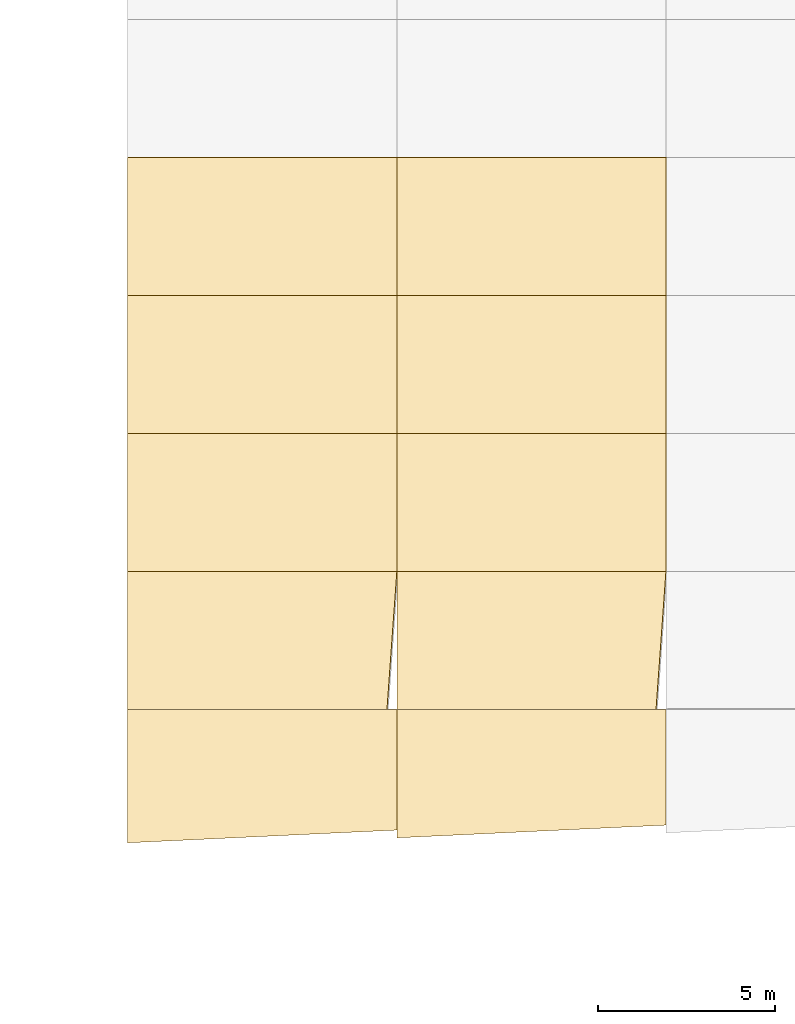
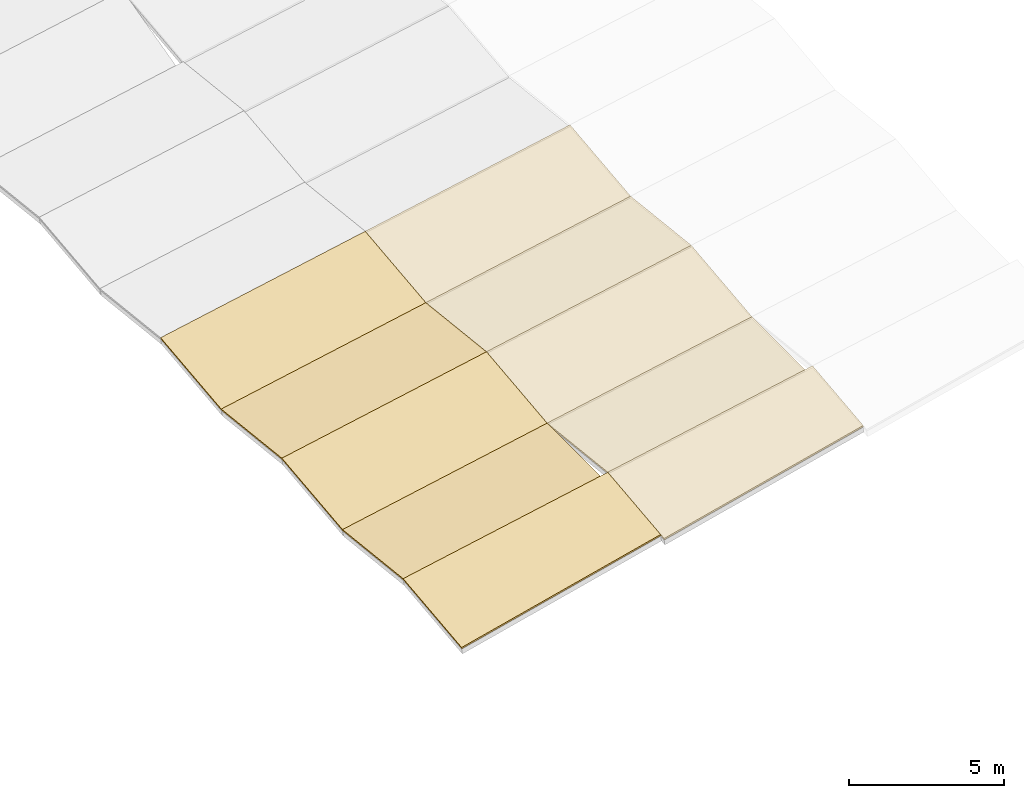
# One storey, part 18 of 23: 10 coverings.
"""IFC4 building model written with IfcOpenShell, lengths in metres."""

from ifc_helpers import new_model, si_unit, direction, frame, origin, place, context, subcontext, project, spatial, polyline, outline, extrude, material, layer, layer_set, type_object, element, save


model = new_model("IFC4")

# Units and contexts
model_context = context("Model", 3, precision=1e-05, world=origin(), true_north=direction((0.0, 1.0)))
body_context = subcontext(model_context, "Body", "Model", "MODEL_VIEW")
ifc_project = project(units=[si_unit("LENGTHUNIT", "METRE"), si_unit("AREAUNIT", "SQUARE_METRE"), si_unit("VOLUMEUNIT", "CUBIC_METRE"), si_unit("PLANEANGLEUNIT", "RADIAN"), si_unit("MASSUNIT", "GRAM", prefix="KILO")], contexts=[model_context])

# Site, building, storey
site_placement = place(None, origin())
site = spatial("IfcSite", under=ifc_project, at=site_placement, CompositionType="ELEMENT")
building_placement = place(site_placement, origin())
building = spatial("IfcBuilding", under=site, at=building_placement, Name="Vervanel Yard Central Library", CompositionType="ELEMENT")
storey_placement = place(building_placement, frame((0.0, 0.0, 16.52001953125)))
storey = spatial("IfcBuildingStorey", under=building, at=storey_placement, Name="L04", CompositionType="ELEMENT", Elevation=16.52001953125)

# Coverings
ifc_material = material(Name="Standing-seam dark zinc-coated metal roofing", Category="metal")
ifc_layer = layer(ifc_material, 0.06494140625, Category="metal")
ifc_layer_set = layer_set([ifc_layer], Name="Standing-seam dark zinc-coated metal roofing")
covering_type = type_object("IfcCoveringType", Name="Standing-Seam Dark Zinc Roof Assembly", PredefinedType="ROOFING", material=ifc_layer_set)
covering_1_placement = place(storey_placement, frame((115.60009765625, 43.340087890625, -0.119140625), z_axis=(-0.194580948292, -0.109316627807, 0.974775938073), x_axis=(0.978589354596, 0.046337057898, 0.200538654969)))
element("IfcCovering", 1, at=covering_1_placement, inside=storey, type_object=covering_type, Name="Standing-Seam Zinc Roofing V3-FS-B2-S01", PredefinedType="ROOFING", context=body_context, shape_type="SweptSolid", body=[
    extrude(outline(polyline([(0.0, 0.0), (7.766124248683409, 1.1102230246251565e-16), (8.000151979250896, 3.41345179695957), (0.25878107563859476, 3.774715667804669), (0.0, 0.0)])), origin(), (0.0, 0.0, -1.0), 0.06494140625),
])
covering_2_placement = place(storey_placement, frame((115.60009765625, 47.10009765625, 0.302490234375), z_axis=(-0.194584225996, 0.109351015524, 0.974771426744), x_axis=(0.980652206279, 6.1786e-08, 0.19575814241)))
element("IfcCovering", 2, at=covering_2_placement, inside=storey, type_object=covering_type, Name="Standing-Seam Zinc Roofing V3-FS-B2-S02", PredefinedType="ROOFING", context=body_context, shape_type="SweptSolid", body=[
    extrude(outline(polyline([(0.0, 0.0), (7.4642399733851565, 2.7755575615628914e-17), (7.664151860832064, 3.9234299069279888), (-0.08564394634559244, 3.9234308526114368), (0.0, 0.0)])), origin(), (0.0, 0.0, -1.0), 0.06494140625),
])
covering_3_placement = place(storey_placement, frame((115.60009765625, 51.0, -0.135009765625), z_axis=(-0.194584736914, -0.109352072213, 0.974771206213), x_axis=(0.980652097773, 0.0, 0.19575868597)))
element("IfcCovering", 3, at=covering_3_placement, inside=storey, type_object=covering_type, Name="Standing-Seam Zinc Roofing V3-FS-B2-S03", PredefinedType="ROOFING", context=body_context, shape_type="SweptSolid", body=[
    extrude(outline(polyline([(0.0, 0.0), (7.749795807178863, 0.0), (7.835440232290786, 3.9234308421627606), (0.08564442511192301, 3.9234308421627606), (0.0, 0.0)])), origin(), (0.0, 0.0, -1.0), 0.06494140625),
])
covering_4_placement = place(storey_placement, frame((115.60009765625, 54.89990234375, 0.302490234375), z_axis=(-0.194584882564, 0.10934530886, 0.974771935843), x_axis=(0.980652097773, 0.0, 0.19575868597)))
element("IfcCovering", 4, at=covering_4_placement, inside=storey, type_object=covering_type, Name="Standing-Seam Zinc Roofing V3-FS-B2-S04", PredefinedType="ROOFING", context=body_context, shape_type="SweptSolid", body=[
    extrude(outline(polyline([(0.0, 0.0), (7.749795807178863, 0.0), (7.664151382066939, 3.923673518786944), (-0.08564442511192301, 3.923673518786944), (0.0, 0.0)])), origin(), (0.0, 0.0, -1.0), 0.06494140625),
])
covering_5_placement = place(storey_placement, frame((115.60009765625, 58.800048828125, -0.135009765625), z_axis=(-0.194584736914, -0.109352072213, 0.974771206213), x_axis=(0.980652097773, 0.0, 0.19575868597)))
element("IfcCovering", 5, at=covering_5_placement, inside=storey, type_object=covering_type, Name="Standing-Seam Zinc Roofing V3-FS-B2-S05", PredefinedType="ROOFING", context=body_context, shape_type="SweptSolid", body=[
    extrude(outline(polyline([(0.0, 0.0), (7.749795807178863, 0.0), (7.835440232290786, 3.9234308421627606), (0.08564442511192301, 3.9234308421627606), (0.0, 0.0)])), origin(), (0.0, 0.0, -1.0), 0.06494140625),
])
covering_6_placement = place(storey_placement, frame((123.199951171875, 43.47998046875, 1.41357421875), z_axis=(-0.194572283574, -0.109338366295, 0.974775229538), x_axis=(0.978588827667, 0.046366757258, 0.200534361609)))
element("IfcCovering", 6, at=covering_6_placement, inside=storey, type_object=covering_type, Name="Standing-Seam Zinc Roofing V3-FS-B3-S01", PredefinedType="ROOFING", context=body_context, shape_type="SweptSolid", body=[
    extrude(outline(polyline([(0.0, 0.0), (7.766374478746436, 0.0), (7.990870519604126, 3.272769203300042), (0.24927122069672183, 3.634274764623219), (0.0, 0.0)])), origin(), (0.0, 0.0, -1.0), 0.06494140625),
])
covering_7_placement = place(storey_placement, frame((123.199951171875, 47.10009765625, 1.819580078125), z_axis=(-0.194578103947, 0.109350925129, 0.974772658951), x_axis=(0.98065343639, 7.4846e-08, 0.19575198006)))
element("IfcCovering", 7, at=covering_7_placement, inside=storey, type_object=covering_type, Name="Standing-Seam Zinc Roofing V3-FS-B3-S02", PredefinedType="ROOFING", context=body_context, shape_type="SweptSolid", body=[
    extrude(outline(polyline([(0.0, 0.0), (7.464479390606988, 0.0), (7.664394024955068, 3.923429766962156), (-0.085641199385448, 3.923430912572371), (0.0, 0.0)])), origin(), (0.0, 0.0, -1.0), 0.06494140625),
])
covering_8_placement = place(storey_placement, frame((123.199951171875, 51.0, 1.382080078125), z_axis=(-0.194578722861, -0.109352205216, 0.974772391804), x_axis=(0.980653304953, 0.0, 0.195752638515)))
element("IfcCovering", 8, at=covering_8_placement, inside=storey, type_object=covering_type, Name="Standing-Seam Zinc Roofing V3-FS-B3-S03", PredefinedType="ROOFING", context=body_context, shape_type="SweptSolid", body=[
    extrude(outline(polyline([(0.0, 0.0), (7.750035224342283, 0.0), (7.835677003692641, 3.9234308999160996), (0.08564177935035812, 3.923430899916099), (0.0, 0.0)])), origin(), (0.0, 0.0, -1.0), 0.06494140625),
])
covering_9_placement = place(storey_placement, frame((123.199951171875, 54.89990234375, 1.819580078125), z_axis=(-0.194578868507, 0.109345441854, 0.974773121437), x_axis=(0.980653304953, 0.0, 0.195752638515)))
element("IfcCovering", 9, at=covering_9_placement, inside=storey, type_object=covering_type, Name="Standing-Seam Zinc Roofing V3-FS-B3-S04", PredefinedType="ROOFING", context=body_context, shape_type="SweptSolid", body=[
    extrude(outline(polyline([(0.0, 0.0), (7.750035224342283, 0.0), (7.6643934449919255, 3.9236735765367103), (-0.08564177935035812, 3.92367357653671), (0.0, 0.0)])), origin(), (0.0, 0.0, -1.0), 0.06494140625),
])
covering_10_placement = place(storey_placement, frame((123.199951171875, 58.800048828125, 1.382080078125), z_axis=(-0.194578722861, -0.109352205216, 0.974772391804), x_axis=(0.980653304953, 0.0, 0.195752638515)))
element("IfcCovering", 10, at=covering_10_placement, inside=storey, type_object=covering_type, Name="Standing-Seam Zinc Roofing V3-FS-B3-S05", PredefinedType="ROOFING", context=body_context, shape_type="SweptSolid", body=[
    extrude(outline(polyline([(0.0, 0.0), (7.750035224342283, 0.0), (7.835677003692641, 3.9234308999160996), (0.08564177935035812, 3.923430899916099), (0.0, 0.0)])), origin(), (0.0, 0.0, -1.0), 0.06494140625),
])

save(model, "model.ifc")
